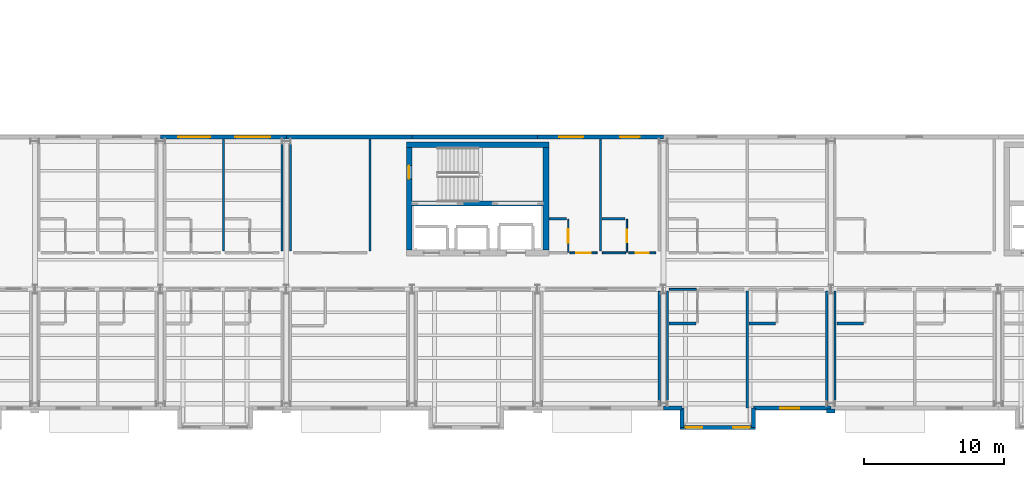
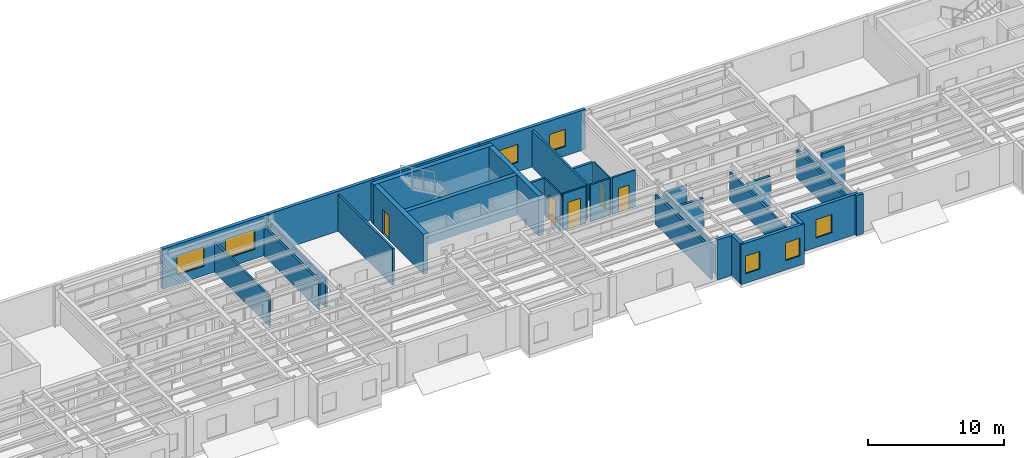
# One storey, part 19 of 34: 35 walls, 7 windows, 5 doors, 12 openings.
"""IFC4 building model written with IfcOpenShell, lengths in metres."""

from ifc_helpers import new_model, si_unit, direction, frame, frame_2d, origin, place, context, subcontext, project, spatial, rectangle, extrude, material, layer, layer_set, type_object, element, fill, save


model = new_model("IFC4")

# Units and contexts
model_context = context("Model", 3, precision=1e-05, world=origin(), true_north=direction((0.0, 1.0)))
body_context = subcontext(model_context, "Body", "Model", "MODEL_VIEW")
ifc_project = project(units=[si_unit("LENGTHUNIT", "METRE"), si_unit("AREAUNIT", "SQUARE_METRE"), si_unit("VOLUMEUNIT", "CUBIC_METRE"), si_unit("PLANEANGLEUNIT", "RADIAN"), si_unit("MASSUNIT", "GRAM", prefix="KILO")], contexts=[model_context])

# Site, building, storey
site_placement = place(None, origin())
site = spatial("IfcSite", under=ifc_project, at=site_placement, CompositionType="ELEMENT")
building_placement = place(site_placement, origin())
building = spatial("IfcBuilding", under=site, at=building_placement, Name="Sollismere Congress Hotel", CompositionType="ELEMENT")
storey_placement = place(building_placement, frame((0.0, 0.0, 23.39990234375)))
storey = spatial("IfcBuildingStorey", under=building, at=storey_placement, Name="L05", CompositionType="ELEMENT", Elevation=23.39990234375)

# Wall
ifc_material_1 = material(Name="Colorado Buff Sandstone Rainscreen on Insulated Backup", Category="masonry")
ifc_layer_1 = layer(ifc_material_1, 0.284912109375, Name="Colorado Buff Sandstone Rainscreen on Insulated Backup")
ifc_layer_set_1 = layer_set([ifc_layer_1], Name="Colorado Buff Sandstone Rainscreen on Insulated Backup")
wall_type_1 = type_object("IfcWallType", Name="WL-EXT285", PredefinedType="STANDARD", material=ifc_layer_set_1)
wall_1_placement = place(storey_placement, frame((112.0, -0.31005859375, 0.0), z_axis=(0.0, 0.0, 1.0), x_axis=(1.0, 0.0, 0.0)))
element("IfcWall", 1, at=wall_1_placement, inside=storey, type_object=wall_type_1, Name="Exterior wall EW-L05-592", PredefinedType="STANDARD", context=body_context, shape_type="SweptSolid", body=[
    extrude(rectangle(XDim=1.340087890625, YDim=0.284912109375, at=frame_2d((0.669921875, 0.0))), origin(), (0.0, 0.0, 1.0), 3.60009765625),
])

# Wall, opening, window
wall_2_placement = place(storey_placement, frame((118.4599609375, -0.31005859375, 0.0), z_axis=(0.0, 0.0, 1.0), x_axis=(1.0, 0.0, 0.0)))
wall_2 = element("IfcWall", 2, at=wall_2_placement, inside=storey, type_object=wall_type_1, Name="Exterior wall EW-L05-593", PredefinedType="STANDARD", context=body_context, shape_type="SweptSolid", body=[
    extrude(rectangle(XDim=5.5400390625, YDim=0.284912109375, at=frame_2d((2.77001953125, 0.0))), origin(), (0.0, 0.0, 1.0), 3.60009765625),
])
opening_1_placement = place(wall_2_placement, frame((1.919921875, 0.0, 0.85009765625)))
opening_1 = element("IfcOpeningElement", 3, at=opening_1_placement, cuts=wall_2, Name="Opening W-L05-443", PredefinedType="OPENING", context=body_context, shape_type="SweptSolid", body=[
    extrude(rectangle(XDim=1.35009765625, YDim=1.64990234375, at=frame_2d((0.675048828125, 0.824951171875))), frame((0.0, 0.15234375, 0.0), z_axis=(0.0, -1.0, 0.0), x_axis=(1.0, 0.0, 0.0)), (0.0, 0.0, 1.0), 0.304931640625),
])
ifc_material_2 = material(Name="Thermally Broken Bronze Aluminum & Low-E Glass", Category="aluminium")
window_type_1 = type_object("IfcWindowType", Name="WN-P135x165", PartitioningType="SINGLE_PANEL", PredefinedType="WINDOW", material=ifc_material_2)
window_1_placement = place(opening_1_placement, origin())
window_1 = element("IfcWindow", 4, at=window_1_placement, inside=storey, type_object=window_type_1, Name="WIN-W-L05-443", OverallHeight=1.64990234375, OverallWidth=1.35009765625, PartitioningType="SINGLE_PANEL", PredefinedType="WINDOW", context=body_context, shape_type="SweptSolid", body=[
    extrude(rectangle(XDim=1.35009765625, YDim=1.64990234375, at=frame_2d((0.675048828125, 0.824951171875))), frame((0.0, 0.030029296875, 0.0), z_axis=(0.0, -1.0, 0.0), x_axis=(1.0, 0.0, 0.0)), (0.0, 0.0, 1.0), 0.06005859375),
])
fill(opening_1, window_1)

# Wall, openings, windows
wall_3_placement = place(storey_placement, frame((113.199951171875, -1.699951171875, 0.0), z_axis=(0.0, 0.0, 1.0), x_axis=(1.0, 0.0, 0.0)))
wall_3 = element("IfcWall", 5, at=wall_3_placement, inside=storey, type_object=wall_type_1, Name="Exterior wall EW-L05-594", PredefinedType="STANDARD", context=body_context, shape_type="SweptSolid", body=[
    extrude(rectangle(XDim=5.400146484375, YDim=0.284912109375, at=frame_2d((2.7001953125, 0.0))), origin(), (0.0, 0.0, 1.0), 3.60009765625),
])
opening_2_placement = place(wall_3_placement, frame((0.39990234375, 0.0, 0.85009765625)))
opening_2 = element("IfcOpeningElement", 6, at=opening_2_placement, cuts=wall_3, Name="Opening W-L05-444", PredefinedType="OPENING", context=body_context, shape_type="SweptSolid", body=[
    extrude(rectangle(XDim=1.199951171875, YDim=1.60009765625, at=frame_2d((0.60009765625, 0.800048828125))), frame((0.0, 0.15234375, 0.0), z_axis=(0.0, -1.0, 0.0), x_axis=(1.0, 0.0, 0.0)), (0.0, 0.0, 1.0), 0.304931640625),
])
opening_3_placement = place(wall_3_placement, frame((3.800048828125, 0.0, 0.85009765625)))
opening_3 = element("IfcOpeningElement", 7, at=opening_3_placement, cuts=wall_3, Name="Opening W-L05-445", PredefinedType="OPENING", context=body_context, shape_type="SweptSolid", body=[
    extrude(rectangle(XDim=1.199951171875, YDim=1.60009765625, at=frame_2d((0.60009765625, 0.800048828125))), frame((0.0, 0.15234375, 0.0), z_axis=(0.0, -1.0, 0.0), x_axis=(1.0, 0.0, 0.0)), (0.0, 0.0, 1.0), 0.304931640625),
])
window_type_2 = type_object("IfcWindowType", Name="WN-P120x160", PartitioningType="SINGLE_PANEL", PredefinedType="WINDOW", material=ifc_material_2)
window_2_placement = place(opening_2_placement, origin())
window_2 = element("IfcWindow", 8, at=window_2_placement, inside=storey, type_object=window_type_2, Name="WIN-W-L05-444", OverallHeight=1.60009765625, OverallWidth=1.199951171875, PartitioningType="SINGLE_PANEL", PredefinedType="WINDOW", context=body_context, shape_type="SweptSolid", body=[
    extrude(rectangle(XDim=1.199951171875, YDim=1.60009765625, at=frame_2d((0.60009765625, 0.800048828125))), frame((0.0, 0.030029296875, 0.0), z_axis=(0.0, -1.0, 0.0), x_axis=(1.0, 0.0, 0.0)), (0.0, 0.0, 1.0), 0.06005859375),
])
fill(opening_2, window_2)
window_3_placement = place(opening_3_placement, origin())
window_3 = element("IfcWindow", 9, at=window_3_placement, inside=storey, type_object=window_type_2, Name="WIN-W-L05-445", OverallHeight=1.60009765625, OverallWidth=1.199951171875, PartitioningType="SINGLE_PANEL", PredefinedType="WINDOW", context=body_context, shape_type="SweptSolid", body=[
    extrude(rectangle(XDim=1.199951171875, YDim=1.60009765625, at=frame_2d((0.60009765625, 0.800048828125))), frame((0.0, 0.030029296875, 0.0), z_axis=(0.0, -1.0, 0.0), x_axis=(1.0, 0.0, 0.0)), (0.0, 0.0, 1.0), 0.06005859375),
])
fill(opening_3, window_3)

# Walls
for number, where, z_axis, x_axis, name in (
    (10, (113.340087890625, -0.31005859375, 0.0), (0.0, 0.0, 1.0), (0.0, -1.0, 0.0), "Exterior wall EW-L05-595"),
    (11, (118.4599609375, -1.699951171875, 0.0), (0.0, 0.0, 1.0), (0.0, 1.0, 0.0), "Exterior wall EW-L05-596"),
):
    element("IfcWall", number, at=place(storey_placement, frame(where, z_axis=z_axis, x_axis=x_axis)), inside=storey, type_object=wall_type_1, Name=name, PredefinedType="STANDARD", context=body_context, shape_type="SweptSolid", body=[
        extrude(rectangle(XDim=1.389892578125, YDim=0.284912109375, at=frame_2d((0.69482421875, 0.0))), origin(), (0.0, 0.0, 1.0), 3.60009765625),
    ])

# Wall, openings, windows
wall_4_placement = place(storey_placement, frame((85.0, 19.110107421875, 0.0), z_axis=(0.0, 0.0, 1.0), x_axis=(-1.0, 0.0, 0.0)))
wall_4 = element("IfcWall", 12, at=wall_4_placement, inside=storey, type_object=wall_type_1, Name="Exterior wall EW-L05-635", PredefinedType="STANDARD", context=body_context, shape_type="SweptSolid", body=[
    extrude(rectangle(XDim=9.0, YDim=0.284912109375, at=frame_2d((4.5, 0.0))), origin(), (0.0, 0.0, 1.0), 3.60009765625),
])
opening_4_placement = place(wall_4_placement, frame((5.449951171875, 0.0, 0.85009765625)))
opening_4 = element("IfcOpeningElement", 13, at=opening_4_placement, cuts=wall_4, Name="Opening W-L05-468", PredefinedType="OPENING", context=body_context, shape_type="SweptSolid", body=[
    extrude(rectangle(XDim=2.300048828125, YDim=1.699951171875, at=frame_2d((1.14990234375, 0.85009765625))), frame((0.0, 0.15234375, 0.0), z_axis=(0.0, -1.0, 0.0), x_axis=(1.0, 0.0, 0.0)), (0.0, 0.0, 1.0), 0.304931640625),
])
opening_5_placement = place(wall_4_placement, frame((1.14990234375, 0.0, 0.85009765625)))
opening_5 = element("IfcOpeningElement", 14, at=opening_5_placement, cuts=wall_4, Name="Opening W-L05-469", PredefinedType="OPENING", context=body_context, shape_type="SweptSolid", body=[
    extrude(rectangle(XDim=2.5, YDim=1.75, at=frame_2d((1.25, 0.875))), frame((0.0, 0.15234375, 0.0), z_axis=(0.0, -1.0, 0.0), x_axis=(1.0, 0.0, 0.0)), (0.0, 0.0, 1.0), 0.304931640625),
])
window_type_3 = type_object("IfcWindowType", Name="WN-P230x170", PartitioningType="SINGLE_PANEL", PredefinedType="WINDOW", material=ifc_material_2)
window_4_placement = place(opening_4_placement, origin())
window_4 = element("IfcWindow", 15, at=window_4_placement, inside=storey, type_object=window_type_3, Name="WIN-W-L05-468", OverallHeight=1.699951171875, OverallWidth=2.300048828125, PartitioningType="SINGLE_PANEL", PredefinedType="WINDOW", context=body_context, shape_type="SweptSolid", body=[
    extrude(rectangle(XDim=2.300048828125, YDim=1.699951171875, at=frame_2d((1.14990234375, 0.85009765625))), frame((0.0, 0.030029296875, 0.0), z_axis=(0.0, -1.0, 0.0), x_axis=(1.0, 0.0, 0.0)), (0.0, 0.0, 1.0), 0.06005859375),
])
fill(opening_4, window_4)
window_type_4 = type_object("IfcWindowType", Name="WN-P250x175", PartitioningType="SINGLE_PANEL", PredefinedType="WINDOW", material=ifc_material_2)
window_5_placement = place(opening_5_placement, origin())
window_5 = element("IfcWindow", 16, at=window_5_placement, inside=storey, type_object=window_type_4, Name="WIN-W-L05-469", OverallHeight=1.75, OverallWidth=2.5, PartitioningType="SINGLE_PANEL", PredefinedType="WINDOW", context=body_context, shape_type="SweptSolid", body=[
    extrude(rectangle(XDim=2.5, YDim=1.75, at=frame_2d((1.25, 0.875))), frame((0.0, 0.030029296875, 0.0), z_axis=(0.0, -1.0, 0.0), x_axis=(1.0, 0.0, 0.0)), (0.0, 0.0, 1.0), 0.06005859375),
])
fill(opening_5, window_5)

# Walls
for number, where, z_axis, x_axis, name in (
    (17, (94.0, 19.110107421875, 0.0), (0.0, 0.0, 1.0), (-1.0, 0.0, 0.0), "Exterior wall EW-L05-636"),
    (18, (103.0, 19.110107421875, 0.0), (0.0, 0.0, 1.0), (-1.0, 0.0, 0.0), "Exterior wall EW-L05-637"),
):
    element("IfcWall", number, at=place(storey_placement, frame(where, z_axis=z_axis, x_axis=x_axis)), inside=storey, type_object=wall_type_1, Name=name, PredefinedType="STANDARD", context=body_context, shape_type="SweptSolid", body=[
        extrude(rectangle(XDim=9.0, YDim=0.284912109375, at=frame_2d((4.5, 0.0))), origin(), (0.0, 0.0, 1.0), 3.60009765625),
    ])

# Wall, openings, windows
wall_5_placement = place(storey_placement, frame((112.0, 19.110107421875, 0.0), z_axis=(0.0, 0.0, 1.0), x_axis=(-1.0, 0.0, 0.0)))
wall_5 = element("IfcWall", 19, at=wall_5_placement, inside=storey, type_object=wall_type_1, Name="Exterior wall EW-L05-638", PredefinedType="STANDARD", context=body_context, shape_type="SweptSolid", body=[
    extrude(rectangle(XDim=9.0, YDim=0.284912109375, at=frame_2d((4.5, 0.0))), origin(), (0.0, 0.0, 1.0), 3.60009765625),
])
opening_6_placement = place(wall_5_placement, frame((5.75, 0.0, 0.85009765625)))
opening_6 = element("IfcOpeningElement", 20, at=opening_6_placement, cuts=wall_5, Name="Opening W-L05-470", PredefinedType="OPENING", context=body_context, shape_type="SweptSolid", body=[
    extrude(rectangle(XDim=1.699951171875, YDim=1.60009765625, at=frame_2d((0.85009765625, 0.800048828125))), frame((0.0, 0.15234375, 0.0), z_axis=(0.0, -1.0, 0.0), x_axis=(1.0, 0.0, 0.0)), (0.0, 0.0, 1.0), 0.304931640625),
])
opening_7_placement = place(wall_5_placement, frame((1.699951171875, 0.0, 0.85009765625)))
opening_7 = element("IfcOpeningElement", 21, at=opening_7_placement, cuts=wall_5, Name="Opening W-L05-471", PredefinedType="OPENING", context=body_context, shape_type="SweptSolid", body=[
    extrude(rectangle(XDim=1.39990234375, YDim=1.550048828125, at=frame_2d((0.699951171875, 0.77490234375))), frame((0.0, 0.15234375, 0.0), z_axis=(0.0, -1.0, 0.0), x_axis=(1.0, 0.0, 0.0)), (0.0, 0.0, 1.0), 0.304931640625),
])
window_type_5 = type_object("IfcWindowType", Name="WN-P140x155", PartitioningType="SINGLE_PANEL", PredefinedType="WINDOW", material=ifc_material_2)
window_6_placement = place(opening_7_placement, origin())
window_6 = element("IfcWindow", 22, at=window_6_placement, inside=storey, type_object=window_type_5, Name="WIN-W-L05-471", OverallHeight=1.550048828125, OverallWidth=1.39990234375, PartitioningType="SINGLE_PANEL", PredefinedType="WINDOW", context=body_context, shape_type="SweptSolid", body=[
    extrude(rectangle(XDim=1.39990234375, YDim=1.550048828125, at=frame_2d((0.699951171875, 0.77490234375))), frame((0.0, 0.030029296875, 0.0), z_axis=(0.0, -1.0, 0.0), x_axis=(1.0, 0.0, 0.0)), (0.0, 0.0, 1.0), 0.06005859375),
])
fill(opening_7, window_6)
window_type_6 = type_object("IfcWindowType", Name="WN-P170x160", PartitioningType="SINGLE_PANEL", PredefinedType="WINDOW", material=ifc_material_2)
window_7_placement = place(opening_6_placement, origin())
window_7 = element("IfcWindow", 23, at=window_7_placement, inside=storey, type_object=window_type_6, Name="WIN-W-L05-470", OverallHeight=1.60009765625, OverallWidth=1.699951171875, PartitioningType="SINGLE_PANEL", PredefinedType="WINDOW", context=body_context, shape_type="SweptSolid", body=[
    extrude(rectangle(XDim=1.699951171875, YDim=1.60009765625, at=frame_2d((0.85009765625, 0.800048828125))), frame((0.0, 0.030029296875, 0.0), z_axis=(0.0, -1.0, 0.0), x_axis=(1.0, 0.0, 0.0)), (0.0, 0.0, 1.0), 0.06005859375),
])
fill(opening_6, window_7)

# Walls
ifc_material_3 = material(Name="Carved Travertine Pilaster & Frieze Assembly", Category="masonry")
ifc_layer_2 = layer(ifc_material_3, 0.260009765625, Name="Carved Travertine Pilaster & Frieze Assembly")
ifc_layer_set_2 = layer_set([ifc_layer_2], Name="Carved Travertine Pilaster & Frieze Assembly")
wall_type_2 = type_object("IfcWallType", Name="WL-PIL280", PredefinedType="ELEMENTEDWALL", material=ifc_layer_set_2)
wall_6_placement = place(storey_placement, frame((123.699951171875, -0.52001953125, 0.0), z_axis=(0.0, 0.0, 1.0), x_axis=(1.0, 0.0, 0.0)))
element("IfcWall", 24, at=wall_6_placement, inside=storey, type_object=wall_type_2, Name="Exterior wall EW-L05-598", PredefinedType="ELEMENTEDWALL", context=body_context, shape_type="SweptSolid", body=[
    extrude(rectangle(XDim=0.60009765625, YDim=0.260009765625, at=frame_2d((0.300048828125, 0.0))), origin(), (0.0, 0.0, 1.0), 3.60009765625),
])
ifc_material_4 = material(Name="Moisture-Resistant Shaft Gypsum Assembly")
ifc_layer_3 = layer(ifc_material_4, 0.199951171875, Name="Moisture-Resistant Shaft Gypsum Assembly")
ifc_layer_set_3 = layer_set([ifc_layer_3], Name="Moisture-Resistant Shaft Gypsum Assembly")
wall_type_3 = type_object("IfcWallType", Name="WL-PLM200", PredefinedType="PLUMBINGWALL", material=ifc_layer_set_3)
wall_7_placement = place(storey_placement, frame((103.81201171875, 13.25, 0.0), z_axis=(0.0, 0.0, 1.0), x_axis=(1.0, 0.0, 0.0)))
element("IfcWall", 25, at=wall_7_placement, inside=storey, type_object=wall_type_3, Name="Interior wall IW-L05-1825", PredefinedType="PLUMBINGWALL", context=body_context, shape_type="SweptSolid", body=[
    extrude(rectangle(XDim=1.258056640625, YDim=0.199951171875, at=frame_2d((0.62890625, 0.0))), origin(), (0.0, 0.0, 1.0), 3.300048828125),
])
wall_8_placement = place(storey_placement, frame((107.6201171875, 13.25, 0.0), z_axis=(0.0, 0.0, 1.0), x_axis=(1.0, 0.0, 0.0)))
element("IfcWall", 26, at=wall_8_placement, inside=storey, type_object=wall_type_3, Name="Interior wall IW-L05-1830", PredefinedType="PLUMBINGWALL", context=body_context, shape_type="SweptSolid", body=[
    extrude(rectangle(XDim=1.64990234375, YDim=0.199951171875, at=frame_2d((0.824951171875, 0.0))), origin(), (0.0, 0.0, 1.0), 3.300048828125),
])
wall_9_placement = place(storey_placement, frame((112.419921875, 5.75, 0.0), z_axis=(0.0, 0.0, 1.0), x_axis=(1.0, 0.0, 0.0)))
element("IfcWall", 27, at=wall_9_placement, inside=storey, type_object=wall_type_3, Name="Interior wall IW-L05-1836", PredefinedType="PLUMBINGWALL", context=body_context, shape_type="SweptSolid", body=[
    extrude(rectangle(XDim=1.91015625, YDim=0.199951171875, at=frame_2d((0.955078125, 0.0))), origin(), (0.0, 0.0, 1.0), 2.85302734375),
])
wall_10_placement = place(storey_placement, frame((118.1201171875, 5.75, 0.0), z_axis=(0.0, 0.0, 1.0), x_axis=(1.0, 0.0, 0.0)))
element("IfcWall", 28, at=wall_10_placement, inside=storey, type_object=wall_type_3, Name="Interior wall IW-L05-1841", PredefinedType="PLUMBINGWALL", context=body_context, shape_type="SweptSolid", body=[
    extrude(rectangle(XDim=1.909912109375, YDim=0.199951171875, at=frame_2d((0.955078125, 0.0))), origin(), (0.0, 0.0, 1.0), 2.85302734375),
])
wall_11_placement = place(storey_placement, frame((124.419921875, 5.75, 0.0), z_axis=(0.0, 0.0, 1.0), x_axis=(1.0, 0.0, 0.0)))
element("IfcWall", 29, at=wall_11_placement, inside=storey, type_object=wall_type_3, Name="Interior wall IW-L05-1858", PredefinedType="PLUMBINGWALL", context=body_context, shape_type="SweptSolid", body=[
    extrude(rectangle(XDim=1.91015625, YDim=0.199951171875, at=frame_2d((0.955078125, 0.0))), origin(), (0.0, 0.0, 1.0), 3.300048828125),
])

# Wall, opening, door
ifc_material_5 = material(Name="Moisture-Resistant Gypsum Partition")
ifc_layer_4 = layer(ifc_material_5, 0.10009765625, Name="Moisture-Resistant Gypsum Partition")
ifc_layer_set_4 = layer_set([ifc_layer_4], Name="Moisture-Resistant Gypsum Partition")
wall_type_4 = type_object("IfcWallType", Name="WL-PRT100", PredefinedType="PARTITIONING", material=ifc_layer_set_4)
wall_12_placement = place(storey_placement, frame((105.18994140625, 10.840087890625, 0.0), z_axis=(0.0, 0.0, 1.0), x_axis=(0.0, 1.0, 0.0)))
wall_12 = element("IfcWall", 30, at=wall_12_placement, inside=storey, type_object=wall_type_4, Name="Interior wall IW-L05-1824", PredefinedType="PARTITIONING", context=body_context, shape_type="SweptSolid", body=[
    extrude(rectangle(XDim=2.369873046875, YDim=0.10009765625, at=frame_2d((1.18505859375, 0.0))), origin(), (0.0, 0.0, 1.0), 3.300048828125),
])
opening_8_placement = place(wall_12_placement, frame((0.7080078125, 0.0, 0.0)))
opening_8 = element("IfcOpeningElement", 31, at=opening_8_placement, cuts=wall_12, Name="Opening D-L05-0644", PredefinedType="OPENING", context=body_context, shape_type="SweptSolid", body=[
    extrude(rectangle(XDim=0.955078125, YDim=2.219970703125, at=frame_2d((0.4775390625, 1.10986328125))), frame((0.0, 0.06005859375, 0.0), z_axis=(0.0, -1.0, 0.0), x_axis=(1.0, 0.0, 0.0)), (0.0, 0.0, 1.0), 0.1201171875),
])
ifc_material_6 = material(Name="Moisture-Sealed Timber Bathroom Door", Category="wood")
door_type_1 = type_object("IfcDoorType", Name="DR-BT08", OperationType="NOTDEFINED", PredefinedType="DOOR", material=ifc_material_6)
door_1_placement = place(opening_8_placement, origin())
door_1 = element("IfcDoor", 32, at=door_1_placement, inside=storey, type_object=door_type_1, Name="En-suite bathroom door D-L05-0644", OperationType="SINGLE_SWING_LEFT", OverallHeight=2.219970703125, OverallWidth=0.955078125, PredefinedType="DOOR", context=body_context, shape_type="SweptSolid", body=[
    extrude(rectangle(XDim=0.955078125, YDim=2.219970703125, at=frame_2d((0.4775390625, 1.10986328125))), frame((0.0, 0.02490234375, 0.0), z_axis=(0.0, -1.0, 0.0), x_axis=(1.0, 0.0, 0.0)), (0.0, 0.0, 1.0), 0.050048828125),
])
fill(opening_8, door_1)

wall_13_placement = place(storey_placement, frame((109.389892578125, 10.840087890625, 0.0), z_axis=(0.0, 0.0, 1.0), x_axis=(0.0, 1.0, 0.0)))
wall_13 = element("IfcWall", 33, at=wall_13_placement, inside=storey, type_object=wall_type_4, Name="Interior wall IW-L05-1829", PredefinedType="PARTITIONING", context=body_context, shape_type="SweptSolid", body=[
    extrude(rectangle(XDim=2.369873046875, YDim=0.10009765625, at=frame_2d((1.18505859375, 0.0))), origin(), (0.0, 0.0, 1.0), 3.300048828125),
])
opening_9_placement = place(wall_13_placement, frame((0.7451171875, 0.0, 0.0)))
opening_9 = element("IfcOpeningElement", 34, at=opening_9_placement, cuts=wall_13, Name="Opening D-L05-0646", PredefinedType="OPENING", context=body_context, shape_type="SweptSolid", body=[
    extrude(rectangle(XDim=0.8798828125, YDim=2.10009765625, at=frame_2d((0.43994140625, 1.050048828125))), frame((0.0, 0.06005859375, 0.0), z_axis=(0.0, -1.0, 0.0), x_axis=(1.0, 0.0, 0.0)), (0.0, 0.0, 1.0), 0.1201171875),
])
door_type_2 = type_object("IfcDoorType", Name="DR-BT01", OperationType="NOTDEFINED", PredefinedType="DOOR", material=ifc_material_6)
door_2_placement = place(opening_9_placement, origin())
door_2 = element("IfcDoor", 35, at=door_2_placement, inside=storey, type_object=door_type_2, Name="En-suite bathroom door D-L05-0646", OperationType="SINGLE_SWING_LEFT", OverallHeight=2.10009765625, OverallWidth=0.8798828125, PredefinedType="DOOR", context=body_context, shape_type="SweptSolid", body=[
    extrude(rectangle(XDim=0.8798828125, YDim=2.10009765625, at=frame_2d((0.43994140625, 1.050048828125))), frame((0.0, 0.02490234375, 0.0), z_axis=(0.0, -1.0, 0.0), x_axis=(1.0, 0.0, 0.0)), (0.0, 0.0, 1.0), 0.050048828125),
])
fill(opening_9, door_2)

ifc_material_7 = material(Name="Fire-Rated Gypsum Partition")
ifc_layer_5 = layer(ifc_material_7, 0.139892578125, Name="Fire-Rated Gypsum Partition")
ifc_layer_set_5 = layer_set([ifc_layer_5], Name="Fire-Rated Gypsum Partition")
wall_type_5 = type_object("IfcWallType", Name="WL-PRT140R", PredefinedType="PARTITIONING", material=ifc_layer_set_5)
wall_14_placement = place(storey_placement, frame((105.31005859375, 10.800048828125, 0.0), z_axis=(0.0, 0.0, 1.0), x_axis=(1.0, 0.0, 0.0)))
wall_14 = element("IfcWall", 36, at=wall_14_placement, inside=storey, type_object=wall_type_5, Name="Interior wall IW-L05-1822", PredefinedType="PARTITIONING", context=body_context, shape_type="SweptSolid", body=[
    extrude(rectangle(XDim=1.949951171875, YDim=0.139892578125, at=frame_2d((0.97509765625, 0.0))), origin(), (0.0, 0.0, 1.0), 3.300048828125),
])
opening_10_placement = place(wall_14_placement, frame((0.43994140625, 0.0, 0.0)))
opening_10 = element("IfcOpeningElement", 37, at=opening_10_placement, cuts=wall_14, Name="Opening D-L05-0643", PredefinedType="OPENING", context=body_context, shape_type="SweptSolid", body=[
    extrude(rectangle(XDim=1.070068359375, YDim=2.39990234375, at=frame_2d((0.53515625, 1.199951171875))), frame((0.0, 0.079833984375, 0.0), z_axis=(0.0, -1.0, 0.0), x_axis=(1.0, 0.0, 0.0)), (0.0, 0.0, 1.0), 0.159912109375),
])
ifc_material_8 = material(Name="Solid-Core Acoustic Walnut Guestroom Entry Door")
door_type_3 = type_object("IfcDoorType", Name="DR-KY12", OperationType="NOTDEFINED", PredefinedType="DOOR", material=ifc_material_8)
door_3_placement = place(opening_10_placement, origin())
door_3 = element("IfcDoor", 38, at=door_3_placement, inside=storey, type_object=door_type_3, Name="Hotel room entry door D-L05-0643", OperationType="SINGLE_SWING_RIGHT", OverallHeight=2.39990234375, OverallWidth=1.070068359375, PredefinedType="DOOR", context=body_context, shape_type="SweptSolid", body=[
    extrude(rectangle(XDim=1.070068359375, YDim=2.39990234375, at=frame_2d((0.53515625, 1.199951171875))), frame((0.0, 0.02490234375, 0.0), z_axis=(0.0, -1.0, 0.0), x_axis=(1.0, 0.0, 0.0)), (0.0, 0.0, 1.0), 0.050048828125),
])
fill(opening_10, door_3)

# Wall
wall_15_placement = place(storey_placement, frame((107.639892578125, 10.800048828125, 0.0), z_axis=(0.0, 0.0, 1.0), x_axis=(1.0, 0.0, 0.0)))
element("IfcWall", 39, at=wall_15_placement, inside=storey, type_object=wall_type_5, Name="Interior wall IW-L05-1826", PredefinedType="PARTITIONING", context=body_context, shape_type="SweptSolid", body=[
    extrude(rectangle(XDim=1.670166015625, YDim=0.139892578125, at=frame_2d((0.8349609375, 0.0))), origin(), (0.0, 0.0, 1.0), 3.300048828125),
])

# Wall, opening, door
wall_16_placement = place(storey_placement, frame((109.510009765625, 10.800048828125, 0.0), z_axis=(0.0, 0.0, 1.0), x_axis=(1.0, 0.0, 0.0)))
wall_16 = element("IfcWall", 40, at=wall_16_placement, inside=storey, type_object=wall_type_5, Name="Interior wall IW-L05-1827", PredefinedType="PARTITIONING", context=body_context, shape_type="SweptSolid", body=[
    extrude(rectangle(XDim=1.949951171875, YDim=0.139892578125, at=frame_2d((0.97509765625, 0.0))), origin(), (0.0, 0.0, 1.0), 3.300048828125),
])
opening_11_placement = place(wall_16_placement, frame((0.514892578125, 0.0, 0.0)))
opening_11 = element("IfcOpeningElement", 41, at=opening_11_placement, cuts=wall_16, Name="Opening D-L05-0645", PredefinedType="OPENING", context=body_context, shape_type="SweptSolid", body=[
    extrude(rectangle(XDim=0.919921875, YDim=2.14990234375, at=frame_2d((0.4599609375, 1.074951171875))), frame((0.0, 0.079833984375, 0.0), z_axis=(0.0, -1.0, 0.0), x_axis=(1.0, 0.0, 0.0)), (0.0, 0.0, 1.0), 0.159912109375),
])
door_type_4 = type_object("IfcDoorType", Name="DR-KY01", OperationType="NOTDEFINED", PredefinedType="DOOR", material=ifc_material_8)
door_4_placement = place(opening_11_placement, origin())
door_4 = element("IfcDoor", 42, at=door_4_placement, inside=storey, type_object=door_type_4, Name="Hotel room entry door D-L05-0645", OperationType="SINGLE_SWING_RIGHT", OverallHeight=2.14990234375, OverallWidth=0.919921875, PredefinedType="DOOR", context=body_context, shape_type="SweptSolid", body=[
    extrude(rectangle(XDim=0.919921875, YDim=2.14990234375, at=frame_2d((0.4599609375, 1.074951171875))), frame((0.0, 0.02490234375, 0.0), z_axis=(0.0, -1.0, 0.0), x_axis=(1.0, 0.0, 0.0)), (0.0, 0.0, 1.0), 0.050048828125),
])
fill(opening_11, door_4)

# Walls
wall_17_placement = place(storey_placement, frame((112.43994140625, 8.199951171875, 0.0), z_axis=(0.0, 0.0, 1.0), x_axis=(1.0, 0.0, 0.0)))
element("IfcWall", 43, at=wall_17_placement, inside=storey, type_object=wall_type_5, Name="Interior wall IW-L05-1831", PredefinedType="PARTITIONING", context=body_context, shape_type="SweptSolid", body=[
    extrude(rectangle(XDim=1.93017578125, YDim=0.139892578125, at=frame_2d((0.965087890625, 0.0))), origin(), (0.0, 0.0, 1.0), 2.5380859375),
])
ifc_material_9 = material(Name="Fire-Rated Acoustic Gypsum Partition")
ifc_layer_6 = layer(ifc_material_9, 0.1650390625, Name="Fire-Rated Acoustic Gypsum Partition")
ifc_layer_set_6 = layer_set([ifc_layer_6], Name="Fire-Rated Acoustic Gypsum Partition")
wall_type_6 = type_object("IfcWallType", Name="WL-PRT165R", PredefinedType="PARTITIONING", material=ifc_layer_set_6)
wall_18_placement = place(storey_placement, frame((80.5, 10.93994140625, 0.0), z_axis=(0.0, 0.0, 1.0), x_axis=(0.0, 1.0, 0.0)))
element("IfcWall", 44, at=wall_18_placement, inside=storey, type_object=wall_type_6, Name="Interior wall IW-L05-1813", PredefinedType="PARTITIONING", context=body_context, shape_type="SweptSolid", body=[
    extrude(rectangle(XDim=8.012451171875, YDim=0.1650390625, at=frame_2d((4.00634765625, 0.0))), origin(), (0.0, 0.0, 1.0), 2.713134765625),
])
wall_19_placement = place(storey_placement, frame((84.699951171875, 10.93994140625, 0.0), z_axis=(0.0, 0.0, 1.0), x_axis=(0.0, 1.0, 0.0)))
element("IfcWall", 45, at=wall_19_placement, inside=storey, type_object=wall_type_6, Name="Interior wall IW-L05-1818", PredefinedType="PARTITIONING", context=body_context, shape_type="SweptSolid", body=[
    extrude(rectangle(XDim=8.012451171875, YDim=0.1650390625, at=frame_2d((4.00634765625, 0.0))), origin(), (0.0, 0.0, 1.0), 2.629150390625),
])
wall_20_placement = place(storey_placement, frame((107.5, 10.93994140625, 0.0), z_axis=(0.0, 0.0, 1.0), x_axis=(0.0, 1.0, 0.0)))
element("IfcWall", 46, at=wall_20_placement, inside=storey, type_object=wall_type_6, Name="Interior wall IW-L05-1823", PredefinedType="PARTITIONING", context=body_context, shape_type="SweptSolid", body=[
    extrude(rectangle(XDim=8.012451171875, YDim=0.1650390625, at=frame_2d((4.00634765625, 0.0))), origin(), (0.0, 0.0, 1.0), 3.300048828125),
])
wall_21_placement = place(storey_placement, frame((112.300048828125, -0.152587890625, 0.0), z_axis=(0.0, 0.0, 1.0), x_axis=(0.0, 1.0, 0.0)))
element("IfcWall", 47, at=wall_21_placement, inside=storey, type_object=wall_type_6, Name="Interior wall IW-L05-1833", PredefinedType="PARTITIONING", context=body_context, shape_type="SweptSolid", body=[
    extrude(rectangle(XDim=8.212646484375, YDim=0.1650390625, at=frame_2d((4.1064453125, 0.0))), origin(), (0.0, 0.0, 1.0), 2.5380859375),
])
wall_22_placement = place(storey_placement, frame((118.0, -0.31005859375, 0.0), z_axis=(0.0, 0.0, 1.0), x_axis=(0.0, 1.0, 0.0)))
element("IfcWall", 48, at=wall_22_placement, inside=storey, type_object=wall_type_6, Name="Interior wall IW-L05-1834", PredefinedType="PARTITIONING", context=body_context, shape_type="SweptSolid", body=[
    extrude(rectangle(XDim=8.3701171875, YDim=0.1650390625, at=frame_2d((4.18505859375, 0.0))), origin(), (0.0, 0.0, 1.0), 2.5380859375),
])
for number, where, z_axis, x_axis, name in (
    (49, (123.699951171875, -0.152587890625, 0.0), (0.0, 0.0, 1.0), (0.0, 1.0, 0.0), "Interior wall IW-L05-1839"),
    (50, (124.300048828125, -0.152587890625, 0.0), (0.0, 0.0, 1.0), (0.0, 1.0, 0.0), "Interior wall IW-L05-1855"),
):
    element("IfcWall", number, at=place(storey_placement, frame(where, z_axis=z_axis, x_axis=x_axis)), inside=storey, type_object=wall_type_6, Name=name, PredefinedType="PARTITIONING", context=body_context, shape_type="SweptSolid", body=[
        extrude(rectangle(XDim=8.212646484375, YDim=0.1650390625, at=frame_2d((4.1064453125, 0.0))), origin(), (0.0, 0.0, 1.0), 2.5380859375),
    ])
wall_23_placement = place(storey_placement, frame((85.300048828125, 10.93994140625, 0.0), z_axis=(0.0, 0.0, 1.0), x_axis=(0.0, 1.0, 0.0)))
element("IfcWall", 51, at=wall_23_placement, inside=storey, type_object=wall_type_6, Name="Interior wall IW-L05-1953", PredefinedType="PARTITIONING", context=body_context, shape_type="SweptSolid", body=[
    extrude(rectangle(XDim=8.012451171875, YDim=0.1650390625, at=frame_2d((4.00634765625, 0.0))), origin(), (0.0, 0.0, 1.0), 2.629150390625),
])
wall_24_placement = place(storey_placement, frame((91.0, 10.93994140625, 0.0), z_axis=(0.0, 0.0, 1.0), x_axis=(0.0, 1.0, 0.0)))
element("IfcWall", 52, at=wall_24_placement, inside=storey, type_object=wall_type_6, Name="Interior wall IW-L05-1954", PredefinedType="PARTITIONING", context=body_context, shape_type="SweptSolid", body=[
    extrude(rectangle(XDim=8.012451171875, YDim=0.1650390625, at=frame_2d((4.00634765625, 0.0))), origin(), (0.0, 0.0, 1.0), 3.300048828125),
])
wall_25_placement = place(storey_placement, frame((111.699951171875, -0.152587890625, 0.0), z_axis=(0.0, 0.0, 1.0), x_axis=(0.0, 1.0, 0.0)))
element("IfcWall", 53, at=wall_25_placement, inside=storey, type_object=wall_type_6, Name="Interior wall IW-L05-1960", PredefinedType="PARTITIONING", context=body_context, shape_type="SweptSolid", body=[
    extrude(rectangle(XDim=8.212646484375, YDim=0.1650390625, at=frame_2d((4.1064453125, 0.0))), origin(), (0.0, 0.0, 1.0), 2.690185546875),
])
ifc_material_10 = material(Name="Concrete C50/60", Category="concrete")
ifc_layer_7 = layer(ifc_material_10, 0.35009765625, Name="Concrete C50/60")
ifc_layer_set_7 = layer_set([ifc_layer_7], Name="Concrete C50/60")
wall_type_7 = type_object("IfcWallType", Name="WL-SHR350", PredefinedType="SHEAR", material=ifc_layer_set_7)
wall_26_placement = place(storey_placement, frame((94.0, 14.35009765625, 0.0), z_axis=(0.0, 0.0, 1.0), x_axis=(1.0, 0.0, 0.0)))
element("IfcWall", 54, at=wall_26_placement, inside=storey, type_object=wall_type_7, Name="Interior wall IW-L05-0291", PredefinedType="SHEAR", context=body_context, shape_type="SweptSolid", body=[
    extrude(rectangle(XDim=9.39990234375, YDim=0.35009765625, at=frame_2d((4.699951171875, 0.0))), origin(), (0.0, 0.0, 1.0), 3.60009765625),
])
ifc_layer_8 = layer(ifc_material_10, 0.39990234375, Name="Concrete C50/60")
ifc_layer_set_8 = layer_set([ifc_layer_8], Name="Concrete C50/60")
wall_type_8 = type_object("IfcWallType", Name="WL-SHR400", PredefinedType="SHEAR", material=ifc_layer_set_8)
wall_27_placement = place(storey_placement, frame((103.800048828125, 18.550048828125, 0.0), z_axis=(0.0, 0.0, 1.0), x_axis=(-1.0, 0.0, 0.0)))
element("IfcWall", 55, at=wall_27_placement, inside=storey, type_object=wall_type_8, Name="Interior wall IW-L05-0288", PredefinedType="SHEAR", context=body_context, shape_type="SweptSolid", body=[
    extrude(rectangle(XDim=10.199951171875, YDim=0.39990234375, at=frame_2d((5.10009765625, 0.0))), origin(), (0.0, 0.0, 1.0), 3.60009765625),
])

# Wall, opening, door
wall_28_placement = place(storey_placement, frame((93.800048828125, 18.35009765625, 0.0), z_axis=(0.0, 0.0, 1.0), x_axis=(0.0, -1.0, 0.0)))
wall_28 = element("IfcWall", 56, at=wall_28_placement, inside=storey, type_object=wall_type_8, Name="Interior wall IW-L05-0289", PredefinedType="SHEAR", context=body_context, shape_type="SweptSolid", body=[
    extrude(rectangle(XDim=7.35009765625, YDim=0.39990234375, at=frame_2d((3.675048828125, 0.0))), origin(), (0.0, 0.0, 1.0), 3.60009765625),
])
opening_12_placement = place(wall_28_placement, frame((1.300048828125, 0.0, 0.0)))
opening_12 = element("IfcOpeningElement", 57, at=opening_12_placement, cuts=wall_28, Name="Opening D-ST-02-L05", PredefinedType="OPENING", context=body_context, shape_type="SweptSolid", body=[
    extrude(rectangle(XDim=0.949951171875, YDim=2.199951171875, at=frame_2d((0.47509765625, 1.10009765625))), frame((0.0, 0.2099609375, 0.0), z_axis=(0.0, -1.0, 0.0), x_axis=(1.0, 0.0, 0.0)), (0.0, 0.0, 1.0), 0.419921875),
])
ifc_material_11 = material(Name="Fire-Rated Insulated Steel Door", Category="steel")
door_type_5 = type_object("IfcDoorType", Name="DR-FD90", OperationType="NOTDEFINED", PredefinedType="DOOR", material=ifc_material_11)
door_5_placement = place(opening_12_placement, origin())
door_5 = element("IfcDoor", 58, at=door_5_placement, inside=storey, type_object=door_type_5, Name="Exit stair fire door D-ST-02-L05", OperationType="SINGLE_SWING_RIGHT", OverallHeight=2.199951171875, OverallWidth=0.949951171875, PredefinedType="DOOR", context=body_context, shape_type="SweptSolid", body=[
    extrude(rectangle(XDim=0.949951171875, YDim=2.199951171875, at=frame_2d((0.47509765625, 1.10009765625))), frame((0.0, 0.02490234375, 0.0), z_axis=(0.0, -1.0, 0.0), x_axis=(1.0, 0.0, 0.0)), (0.0, 0.0, 1.0), 0.050048828125),
])
fill(opening_12, door_5)

# Wall
wall_29_placement = place(storey_placement, frame((103.60009765625, 11.0, 0.0), z_axis=(0.0, 0.0, 1.0), x_axis=(0.0, 1.0, 0.0)))
element("IfcWall", 59, at=wall_29_placement, inside=storey, type_object=wall_type_8, Name="Interior wall IW-L05-0290", PredefinedType="SHEAR", context=body_context, shape_type="SweptSolid", body=[
    extrude(rectangle(XDim=7.35009765625, YDim=0.39990234375, at=frame_2d((3.675048828125, 0.0))), origin(), (0.0, 0.0, 1.0), 3.60009765625),
])

save(model, "model.ifc")
